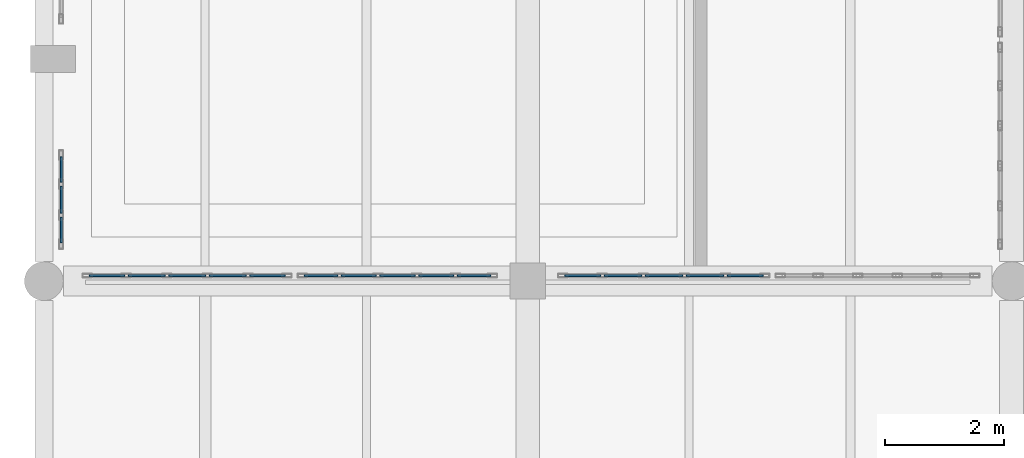
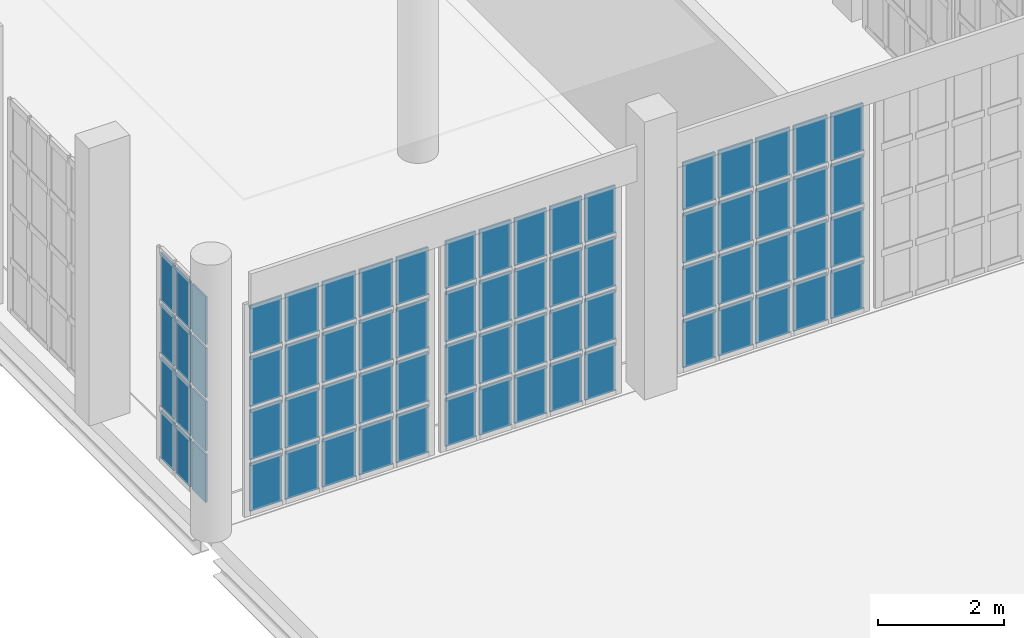
# One storey, part 320 of 372: 72 plates, 4 elements without a shape of their own.
"""IFC4 building model written with IfcOpenShell, lengths in metres."""

from ifc_helpers import new_model, si_unit, direction, frame, origin, origin_2d, place, context, subcontext, project, spatial, rectangle, extrude, material, layer, layer_set, type_object, element, aggregate, save


model = new_model("IFC4")

# Units and contexts
model_context = context("Model", 3, precision=1e-05, world=origin(), true_north=direction((0.0, 1.0)))
body_context = subcontext(model_context, "Body", "Model", "MODEL_VIEW")
ifc_project = project(units=[si_unit("LENGTHUNIT", "METRE"), si_unit("AREAUNIT", "SQUARE_METRE"), si_unit("VOLUMEUNIT", "CUBIC_METRE"), si_unit("PLANEANGLEUNIT", "RADIAN"), si_unit("MASSUNIT", "GRAM", prefix="KILO")], contexts=[model_context])

# Site, building, storey
site_placement = place(None, origin())
site = spatial("IfcSite", under=ifc_project, at=site_placement, CompositionType="ELEMENT")
building_placement = place(site_placement, origin())
building = spatial("IfcBuilding", under=site, at=building_placement, Name="Kaelora Sail Theatre", CompositionType="ELEMENT")
storey_placement = place(building_placement, origin())
storey = spatial("IfcBuildingStorey", under=building, at=storey_placement, Name="L00", CompositionType="ELEMENT", Elevation=0.0)

# Curtain wall, plates
ifc_material_1 = material(Name="Anodised aluminium and solar-control low-E IGU", Category="aluminium")
curtain_wall_type_1 = type_object("IfcCurtainWallType", Name="ARC-CW-CW-NWG", PredefinedType="NOTDEFINED", material=ifc_material_1)
curtain_wall_1_placement = place(storey_placement, origin())
curtain_wall_1 = element("IfcCurtainWall", 1, at=curtain_wall_1_placement, inside=storey, type_object=curtain_wall_type_1, Name="Glazed Foyer/Conservatory Curtain Wall COLW-S-L00-01", PredefinedType="NOTDEFINED")
ifc_material_2 = material(Name="Solar-control laminated low-E glass", Category="glass")
ifc_layer = layer(ifc_material_2, 0.031982421875)
ifc_layer_set = layer_set([ifc_layer], Name="Solar-control laminated low-E glass")
plate_type = type_object("IfcPlateType", Name="ARC-CW-PNL", PredefinedType="CURTAIN_PANEL", material=ifc_layer_set)
plate_1_placement = place(storey_placement, frame((2.554931640625, 31.35009765625, 0.070068359375), z_axis=(0.0, 0.0, 1.0), x_axis=(1.0, 0.0, 0.0)))
plate_1 = element("IfcPlate", 2, at=plate_1_placement, type_object=plate_type, Name="CW-NWG panel 1.1", PredefinedType="CURTAIN_PANEL", context=body_context, shape_type="SweptSolid", body=[
    extrude(rectangle(XDim=0.590087890625, YDim=0.031982421875, at=origin_2d()), origin(), (0.0, 0.0, 1.0), 0.92919921875),
])
plate_2_placement = place(storey_placement, frame((2.554931640625, 31.35009765625, 1.069091796875), z_axis=(0.0, 0.0, 1.0), x_axis=(1.0, 0.0, 0.0)))
plate_2 = element("IfcPlate", 3, at=plate_2_placement, type_object=plate_type, Name="CW-NWG panel 1.2", PredefinedType="CURTAIN_PANEL", context=body_context, shape_type="SweptSolid", body=[
    extrude(rectangle(XDim=0.590087890625, YDim=0.031982421875, at=origin_2d()), origin(), (0.0, 0.0, 1.0), 0.96435546875),
])
plate_3_placement = place(storey_placement, frame((2.554931640625, 31.35009765625, 2.103515625), z_axis=(0.0, 0.0, 1.0), x_axis=(1.0, 0.0, 0.0)))
plate_3 = element("IfcPlate", 4, at=plate_3_placement, type_object=plate_type, Name="CW-NWG panel 1.3", PredefinedType="CURTAIN_PANEL", context=body_context, shape_type="SweptSolid", body=[
    extrude(rectangle(XDim=0.590087890625, YDim=0.031982421875, at=origin_2d()), origin(), (0.0, 0.0, 1.0), 0.964111328125),
])
plate_4_placement = place(storey_placement, frame((2.554931640625, 31.35009765625, 3.1376953125), z_axis=(0.0, 0.0, 1.0), x_axis=(1.0, 0.0, 0.0)))
plate_4 = element("IfcPlate", 5, at=plate_4_placement, type_object=plate_type, Name="CW-NWG panel 1.4", PredefinedType="CURTAIN_PANEL", context=body_context, shape_type="SweptSolid", body=[
    extrude(rectangle(XDim=0.590087890625, YDim=0.031982421875, at=origin_2d()), origin(), (0.0, 0.0, 1.0), 0.92919921875),
])
plate_5_placement = place(storey_placement, frame((3.219970703125, 31.35009765625, 0.070068359375), z_axis=(0.0, 0.0, 1.0), x_axis=(1.0, 0.0, 0.0)))
plate_5 = element("IfcPlate", 6, at=plate_5_placement, type_object=plate_type, Name="CW-NWG panel 2.1", PredefinedType="CURTAIN_PANEL", context=body_context, shape_type="SweptSolid", body=[
    extrude(rectangle(XDim=0.6201171875, YDim=0.031982421875, at=origin_2d()), origin(), (0.0, 0.0, 1.0), 0.92919921875),
])
plate_6_placement = place(storey_placement, frame((3.219970703125, 31.35009765625, 1.069091796875), z_axis=(0.0, 0.0, 1.0), x_axis=(1.0, 0.0, 0.0)))
plate_6 = element("IfcPlate", 7, at=plate_6_placement, type_object=plate_type, Name="CW-NWG panel 2.2", PredefinedType="CURTAIN_PANEL", context=body_context, shape_type="SweptSolid", body=[
    extrude(rectangle(XDim=0.6201171875, YDim=0.031982421875, at=origin_2d()), origin(), (0.0, 0.0, 1.0), 0.96435546875),
])
plate_7_placement = place(storey_placement, frame((3.219970703125, 31.35009765625, 2.103515625), z_axis=(0.0, 0.0, 1.0), x_axis=(1.0, 0.0, 0.0)))
plate_7 = element("IfcPlate", 8, at=plate_7_placement, type_object=plate_type, Name="CW-NWG panel 2.3", PredefinedType="CURTAIN_PANEL", context=body_context, shape_type="SweptSolid", body=[
    extrude(rectangle(XDim=0.6201171875, YDim=0.031982421875, at=origin_2d()), origin(), (0.0, 0.0, 1.0), 0.964111328125),
])
plate_8_placement = place(storey_placement, frame((3.219970703125, 31.35009765625, 3.1376953125), z_axis=(0.0, 0.0, 1.0), x_axis=(1.0, 0.0, 0.0)))
plate_8 = element("IfcPlate", 9, at=plate_8_placement, type_object=plate_type, Name="CW-NWG panel 2.4", PredefinedType="CURTAIN_PANEL", context=body_context, shape_type="SweptSolid", body=[
    extrude(rectangle(XDim=0.6201171875, YDim=0.031982421875, at=origin_2d()), origin(), (0.0, 0.0, 1.0), 0.92919921875),
])
plate_9_placement = place(storey_placement, frame((3.89990234375, 31.35009765625, 0.070068359375), z_axis=(0.0, 0.0, 1.0), x_axis=(1.0, 0.0, 0.0)))
plate_9 = element("IfcPlate", 10, at=plate_9_placement, type_object=plate_type, Name="CW-NWG panel 3.1", PredefinedType="CURTAIN_PANEL", context=body_context, shape_type="SweptSolid", body=[
    extrude(rectangle(XDim=0.6201171875, YDim=0.031982421875, at=origin_2d()), origin(), (0.0, 0.0, 1.0), 0.92919921875),
])
plate_10_placement = place(storey_placement, frame((3.89990234375, 31.35009765625, 1.069091796875), z_axis=(0.0, 0.0, 1.0), x_axis=(1.0, 0.0, 0.0)))
plate_10 = element("IfcPlate", 11, at=plate_10_placement, type_object=plate_type, Name="CW-NWG panel 3.2", PredefinedType="CURTAIN_PANEL", context=body_context, shape_type="SweptSolid", body=[
    extrude(rectangle(XDim=0.6201171875, YDim=0.031982421875, at=origin_2d()), origin(), (0.0, 0.0, 1.0), 0.96435546875),
])
plate_11_placement = place(storey_placement, frame((3.89990234375, 31.35009765625, 2.103515625), z_axis=(0.0, 0.0, 1.0), x_axis=(1.0, 0.0, 0.0)))
plate_11 = element("IfcPlate", 12, at=plate_11_placement, type_object=plate_type, Name="CW-NWG panel 3.3", PredefinedType="CURTAIN_PANEL", context=body_context, shape_type="SweptSolid", body=[
    extrude(rectangle(XDim=0.6201171875, YDim=0.031982421875, at=origin_2d()), origin(), (0.0, 0.0, 1.0), 0.964111328125),
])
plate_12_placement = place(storey_placement, frame((3.89990234375, 31.35009765625, 3.1376953125), z_axis=(0.0, 0.0, 1.0), x_axis=(1.0, 0.0, 0.0)))
plate_12 = element("IfcPlate", 13, at=plate_12_placement, type_object=plate_type, Name="CW-NWG panel 3.4", PredefinedType="CURTAIN_PANEL", context=body_context, shape_type="SweptSolid", body=[
    extrude(rectangle(XDim=0.6201171875, YDim=0.031982421875, at=origin_2d()), origin(), (0.0, 0.0, 1.0), 0.92919921875),
])
plate_13_placement = place(storey_placement, frame((4.580078125, 31.35009765625, 0.070068359375), z_axis=(0.0, 0.0, 1.0), x_axis=(1.0, 0.0, 0.0)))
plate_13 = element("IfcPlate", 14, at=plate_13_placement, type_object=plate_type, Name="CW-NWG panel 4.1", PredefinedType="CURTAIN_PANEL", context=body_context, shape_type="SweptSolid", body=[
    extrude(rectangle(XDim=0.6201171875, YDim=0.031982421875, at=origin_2d()), origin(), (0.0, 0.0, 1.0), 0.92919921875),
])
plate_14_placement = place(storey_placement, frame((4.580078125, 31.35009765625, 1.069091796875), z_axis=(0.0, 0.0, 1.0), x_axis=(1.0, 0.0, 0.0)))
plate_14 = element("IfcPlate", 15, at=plate_14_placement, type_object=plate_type, Name="CW-NWG panel 4.2", PredefinedType="CURTAIN_PANEL", context=body_context, shape_type="SweptSolid", body=[
    extrude(rectangle(XDim=0.6201171875, YDim=0.031982421875, at=origin_2d()), origin(), (0.0, 0.0, 1.0), 0.96435546875),
])
plate_15_placement = place(storey_placement, frame((4.580078125, 31.35009765625, 2.103515625), z_axis=(0.0, 0.0, 1.0), x_axis=(1.0, 0.0, 0.0)))
plate_15 = element("IfcPlate", 16, at=plate_15_placement, type_object=plate_type, Name="CW-NWG panel 4.3", PredefinedType="CURTAIN_PANEL", context=body_context, shape_type="SweptSolid", body=[
    extrude(rectangle(XDim=0.6201171875, YDim=0.031982421875, at=origin_2d()), origin(), (0.0, 0.0, 1.0), 0.964111328125),
])
plate_16_placement = place(storey_placement, frame((4.580078125, 31.35009765625, 3.1376953125), z_axis=(0.0, 0.0, 1.0), x_axis=(1.0, 0.0, 0.0)))
plate_16 = element("IfcPlate", 17, at=plate_16_placement, type_object=plate_type, Name="CW-NWG panel 4.4", PredefinedType="CURTAIN_PANEL", context=body_context, shape_type="SweptSolid", body=[
    extrude(rectangle(XDim=0.6201171875, YDim=0.031982421875, at=origin_2d()), origin(), (0.0, 0.0, 1.0), 0.92919921875),
])
plate_17_placement = place(storey_placement, frame((5.2451171875, 31.35009765625, 0.070068359375), z_axis=(0.0, 0.0, 1.0), x_axis=(1.0, 0.0, 0.0)))
plate_17 = element("IfcPlate", 18, at=plate_17_placement, type_object=plate_type, Name="CW-NWG panel 5.1", PredefinedType="CURTAIN_PANEL", context=body_context, shape_type="SweptSolid", body=[
    extrude(rectangle(XDim=0.590087890625, YDim=0.031982421875, at=origin_2d()), origin(), (0.0, 0.0, 1.0), 0.92919921875),
])
plate_18_placement = place(storey_placement, frame((5.2451171875, 31.35009765625, 1.069091796875), z_axis=(0.0, 0.0, 1.0), x_axis=(1.0, 0.0, 0.0)))
plate_18 = element("IfcPlate", 19, at=plate_18_placement, type_object=plate_type, Name="CW-NWG panel 5.2", PredefinedType="CURTAIN_PANEL", context=body_context, shape_type="SweptSolid", body=[
    extrude(rectangle(XDim=0.590087890625, YDim=0.031982421875, at=origin_2d()), origin(), (0.0, 0.0, 1.0), 0.96435546875),
])
plate_19_placement = place(storey_placement, frame((5.2451171875, 31.35009765625, 2.103515625), z_axis=(0.0, 0.0, 1.0), x_axis=(1.0, 0.0, 0.0)))
plate_19 = element("IfcPlate", 20, at=plate_19_placement, type_object=plate_type, Name="CW-NWG panel 5.3", PredefinedType="CURTAIN_PANEL", context=body_context, shape_type="SweptSolid", body=[
    extrude(rectangle(XDim=0.590087890625, YDim=0.031982421875, at=origin_2d()), origin(), (0.0, 0.0, 1.0), 0.964111328125),
])
plate_20_placement = place(storey_placement, frame((5.2451171875, 31.35009765625, 3.1376953125), z_axis=(0.0, 0.0, 1.0), x_axis=(1.0, 0.0, 0.0)))
plate_20 = element("IfcPlate", 21, at=plate_20_placement, type_object=plate_type, Name="CW-NWG panel 5.4", PredefinedType="CURTAIN_PANEL", context=body_context, shape_type="SweptSolid", body=[
    extrude(rectangle(XDim=0.590087890625, YDim=0.031982421875, at=origin_2d()), origin(), (0.0, 0.0, 1.0), 0.92919921875),
])
aggregate(curtain_wall_1, [plate_1, plate_2, plate_3, plate_4, plate_5, plate_6, plate_7, plate_8, plate_9, plate_10, plate_11, plate_12, plate_13, plate_14, plate_15, plate_16, plate_17, plate_18, plate_19, plate_20])

curtain_wall_2_placement = place(storey_placement, origin())
curtain_wall_2 = element("IfcCurtainWall", 22, at=curtain_wall_2_placement, inside=storey, type_object=curtain_wall_type_1, Name="Glazed Foyer/Conservatory Curtain Wall COLW-S-L00-02", PredefinedType="NOTDEFINED")
plate_21_placement = place(storey_placement, frame((6.138916015625, 31.35009765625, 0.070068359375), z_axis=(0.0, 0.0, 1.0), x_axis=(1.0, 0.0, 0.0)))
plate_21 = element("IfcPlate", 23, at=plate_21_placement, type_object=plate_type, Name="CW-NWG panel 1.1", PredefinedType="CURTAIN_PANEL", context=body_context, shape_type="SweptSolid", body=[
    extrude(rectangle(XDim=0.55810546875, YDim=0.031982421875, at=origin_2d()), origin(), (0.0, 0.0, 1.0), 0.92919921875),
])
plate_22_placement = place(storey_placement, frame((6.138916015625, 31.35009765625, 1.069091796875), z_axis=(0.0, 0.0, 1.0), x_axis=(1.0, 0.0, 0.0)))
plate_22 = element("IfcPlate", 24, at=plate_22_placement, type_object=plate_type, Name="CW-NWG panel 1.2", PredefinedType="CURTAIN_PANEL", context=body_context, shape_type="SweptSolid", body=[
    extrude(rectangle(XDim=0.55810546875, YDim=0.031982421875, at=origin_2d()), origin(), (0.0, 0.0, 1.0), 0.96435546875),
])
plate_23_placement = place(storey_placement, frame((6.138916015625, 31.35009765625, 2.103515625), z_axis=(0.0, 0.0, 1.0), x_axis=(1.0, 0.0, 0.0)))
plate_23 = element("IfcPlate", 25, at=plate_23_placement, type_object=plate_type, Name="CW-NWG panel 1.3", PredefinedType="CURTAIN_PANEL", context=body_context, shape_type="SweptSolid", body=[
    extrude(rectangle(XDim=0.55810546875, YDim=0.031982421875, at=origin_2d()), origin(), (0.0, 0.0, 1.0), 0.964111328125),
])
plate_24_placement = place(storey_placement, frame((6.138916015625, 31.35009765625, 3.1376953125), z_axis=(0.0, 0.0, 1.0), x_axis=(1.0, 0.0, 0.0)))
plate_24 = element("IfcPlate", 26, at=plate_24_placement, type_object=plate_type, Name="CW-NWG panel 1.4", PredefinedType="CURTAIN_PANEL", context=body_context, shape_type="SweptSolid", body=[
    extrude(rectangle(XDim=0.55810546875, YDim=0.031982421875, at=origin_2d()), origin(), (0.0, 0.0, 1.0), 0.92919921875),
])
plate_25_placement = place(storey_placement, frame((6.77197265625, 31.35009765625, 0.070068359375), z_axis=(0.0, 0.0, 1.0), x_axis=(1.0, 0.0, 0.0)))
plate_25 = element("IfcPlate", 27, at=plate_25_placement, type_object=plate_type, Name="CW-NWG panel 2.1", PredefinedType="CURTAIN_PANEL", context=body_context, shape_type="SweptSolid", body=[
    extrude(rectangle(XDim=0.587890625, YDim=0.031982421875, at=origin_2d()), origin(), (0.0, 0.0, 1.0), 0.92919921875),
])
plate_26_placement = place(storey_placement, frame((6.77197265625, 31.35009765625, 1.069091796875), z_axis=(0.0, 0.0, 1.0), x_axis=(1.0, 0.0, 0.0)))
plate_26 = element("IfcPlate", 28, at=plate_26_placement, type_object=plate_type, Name="CW-NWG panel 2.2", PredefinedType="CURTAIN_PANEL", context=body_context, shape_type="SweptSolid", body=[
    extrude(rectangle(XDim=0.587890625, YDim=0.031982421875, at=origin_2d()), origin(), (0.0, 0.0, 1.0), 0.96435546875),
])
plate_27_placement = place(storey_placement, frame((6.77197265625, 31.35009765625, 2.103515625), z_axis=(0.0, 0.0, 1.0), x_axis=(1.0, 0.0, 0.0)))
plate_27 = element("IfcPlate", 29, at=plate_27_placement, type_object=plate_type, Name="CW-NWG panel 2.3", PredefinedType="CURTAIN_PANEL", context=body_context, shape_type="SweptSolid", body=[
    extrude(rectangle(XDim=0.587890625, YDim=0.031982421875, at=origin_2d()), origin(), (0.0, 0.0, 1.0), 0.964111328125),
])
plate_28_placement = place(storey_placement, frame((6.77197265625, 31.35009765625, 3.1376953125), z_axis=(0.0, 0.0, 1.0), x_axis=(1.0, 0.0, 0.0)))
plate_28 = element("IfcPlate", 30, at=plate_28_placement, type_object=plate_type, Name="CW-NWG panel 2.4", PredefinedType="CURTAIN_PANEL", context=body_context, shape_type="SweptSolid", body=[
    extrude(rectangle(XDim=0.587890625, YDim=0.031982421875, at=origin_2d()), origin(), (0.0, 0.0, 1.0), 0.92919921875),
])
plate_29_placement = place(storey_placement, frame((7.419921875, 31.35009765625, 0.070068359375), z_axis=(0.0, 0.0, 1.0), x_axis=(1.0, 0.0, 0.0)))
plate_29 = element("IfcPlate", 31, at=plate_29_placement, type_object=plate_type, Name="CW-NWG panel 3.1", PredefinedType="CURTAIN_PANEL", context=body_context, shape_type="SweptSolid", body=[
    extrude(rectangle(XDim=0.587890625, YDim=0.031982421875, at=origin_2d()), origin(), (0.0, 0.0, 1.0), 0.92919921875),
])
plate_30_placement = place(storey_placement, frame((7.419921875, 31.35009765625, 1.069091796875), z_axis=(0.0, 0.0, 1.0), x_axis=(1.0, 0.0, 0.0)))
plate_30 = element("IfcPlate", 32, at=plate_30_placement, type_object=plate_type, Name="CW-NWG panel 3.2", PredefinedType="CURTAIN_PANEL", context=body_context, shape_type="SweptSolid", body=[
    extrude(rectangle(XDim=0.587890625, YDim=0.031982421875, at=origin_2d()), origin(), (0.0, 0.0, 1.0), 0.96435546875),
])
plate_31_placement = place(storey_placement, frame((7.419921875, 31.35009765625, 2.103515625), z_axis=(0.0, 0.0, 1.0), x_axis=(1.0, 0.0, 0.0)))
plate_31 = element("IfcPlate", 33, at=plate_31_placement, type_object=plate_type, Name="CW-NWG panel 3.3", PredefinedType="CURTAIN_PANEL", context=body_context, shape_type="SweptSolid", body=[
    extrude(rectangle(XDim=0.587890625, YDim=0.031982421875, at=origin_2d()), origin(), (0.0, 0.0, 1.0), 0.964111328125),
])
plate_32_placement = place(storey_placement, frame((7.419921875, 31.35009765625, 3.1376953125), z_axis=(0.0, 0.0, 1.0), x_axis=(1.0, 0.0, 0.0)))
plate_32 = element("IfcPlate", 34, at=plate_32_placement, type_object=plate_type, Name="CW-NWG panel 3.4", PredefinedType="CURTAIN_PANEL", context=body_context, shape_type="SweptSolid", body=[
    extrude(rectangle(XDim=0.587890625, YDim=0.031982421875, at=origin_2d()), origin(), (0.0, 0.0, 1.0), 0.92919921875),
])
plate_33_placement = place(storey_placement, frame((8.068115234375, 31.35009765625, 0.070068359375), z_axis=(0.0, 0.0, 1.0), x_axis=(1.0, 0.0, 0.0)))
plate_33 = element("IfcPlate", 35, at=plate_33_placement, type_object=plate_type, Name="CW-NWG panel 4.1", PredefinedType="CURTAIN_PANEL", context=body_context, shape_type="SweptSolid", body=[
    extrude(rectangle(XDim=0.587890625, YDim=0.031982421875, at=origin_2d()), origin(), (0.0, 0.0, 1.0), 0.92919921875),
])
plate_34_placement = place(storey_placement, frame((8.068115234375, 31.35009765625, 1.069091796875), z_axis=(0.0, 0.0, 1.0), x_axis=(1.0, 0.0, 0.0)))
plate_34 = element("IfcPlate", 36, at=plate_34_placement, type_object=plate_type, Name="CW-NWG panel 4.2", PredefinedType="CURTAIN_PANEL", context=body_context, shape_type="SweptSolid", body=[
    extrude(rectangle(XDim=0.587890625, YDim=0.031982421875, at=origin_2d()), origin(), (0.0, 0.0, 1.0), 0.96435546875),
])
plate_35_placement = place(storey_placement, frame((8.068115234375, 31.35009765625, 2.103515625), z_axis=(0.0, 0.0, 1.0), x_axis=(1.0, 0.0, 0.0)))
plate_35 = element("IfcPlate", 37, at=plate_35_placement, type_object=plate_type, Name="CW-NWG panel 4.3", PredefinedType="CURTAIN_PANEL", context=body_context, shape_type="SweptSolid", body=[
    extrude(rectangle(XDim=0.587890625, YDim=0.031982421875, at=origin_2d()), origin(), (0.0, 0.0, 1.0), 0.964111328125),
])
plate_36_placement = place(storey_placement, frame((8.068115234375, 31.35009765625, 3.1376953125), z_axis=(0.0, 0.0, 1.0), x_axis=(1.0, 0.0, 0.0)))
plate_36 = element("IfcPlate", 38, at=plate_36_placement, type_object=plate_type, Name="CW-NWG panel 4.4", PredefinedType="CURTAIN_PANEL", context=body_context, shape_type="SweptSolid", body=[
    extrude(rectangle(XDim=0.587890625, YDim=0.031982421875, at=origin_2d()), origin(), (0.0, 0.0, 1.0), 0.92919921875),
])
plate_37_placement = place(storey_placement, frame((8.700927734375, 31.35009765625, 0.070068359375), z_axis=(0.0, 0.0, 1.0), x_axis=(1.0, 0.0, 0.0)))
plate_37 = element("IfcPlate", 39, at=plate_37_placement, type_object=plate_type, Name="CW-NWG panel 5.1", PredefinedType="CURTAIN_PANEL", context=body_context, shape_type="SweptSolid", body=[
    extrude(rectangle(XDim=0.55810546875, YDim=0.031982421875, at=origin_2d()), origin(), (0.0, 0.0, 1.0), 0.92919921875),
])
plate_38_placement = place(storey_placement, frame((8.700927734375, 31.35009765625, 1.069091796875), z_axis=(0.0, 0.0, 1.0), x_axis=(1.0, 0.0, 0.0)))
plate_38 = element("IfcPlate", 40, at=plate_38_placement, type_object=plate_type, Name="CW-NWG panel 5.2", PredefinedType="CURTAIN_PANEL", context=body_context, shape_type="SweptSolid", body=[
    extrude(rectangle(XDim=0.55810546875, YDim=0.031982421875, at=origin_2d()), origin(), (0.0, 0.0, 1.0), 0.96435546875),
])
plate_39_placement = place(storey_placement, frame((8.700927734375, 31.35009765625, 2.103515625), z_axis=(0.0, 0.0, 1.0), x_axis=(1.0, 0.0, 0.0)))
plate_39 = element("IfcPlate", 41, at=plate_39_placement, type_object=plate_type, Name="CW-NWG panel 5.3", PredefinedType="CURTAIN_PANEL", context=body_context, shape_type="SweptSolid", body=[
    extrude(rectangle(XDim=0.55810546875, YDim=0.031982421875, at=origin_2d()), origin(), (0.0, 0.0, 1.0), 0.964111328125),
])
plate_40_placement = place(storey_placement, frame((8.700927734375, 31.35009765625, 3.1376953125), z_axis=(0.0, 0.0, 1.0), x_axis=(1.0, 0.0, 0.0)))
plate_40 = element("IfcPlate", 42, at=plate_40_placement, type_object=plate_type, Name="CW-NWG panel 5.4", PredefinedType="CURTAIN_PANEL", context=body_context, shape_type="SweptSolid", body=[
    extrude(rectangle(XDim=0.55810546875, YDim=0.031982421875, at=origin_2d()), origin(), (0.0, 0.0, 1.0), 0.92919921875),
])
aggregate(curtain_wall_2, [plate_21, plate_22, plate_23, plate_24, plate_25, plate_26, plate_27, plate_28, plate_29, plate_30, plate_31, plate_32, plate_33, plate_34, plate_35, plate_36, plate_37, plate_38, plate_39, plate_40])

curtain_wall_3_placement = place(storey_placement, origin())
curtain_wall_3 = element("IfcCurtainWall", 43, at=curtain_wall_3_placement, inside=storey, type_object=curtain_wall_type_1, Name="Glazed Foyer/Conservatory Curtain Wall COLW-S-L00-03", PredefinedType="NOTDEFINED")
plate_41_placement = place(storey_placement, frame((10.51904296875, 31.35009765625, 0.070068359375), z_axis=(0.0, 0.0, 1.0), x_axis=(1.0, 0.0, 0.0)))
plate_41 = element("IfcPlate", 44, at=plate_41_placement, type_object=plate_type, Name="CW-NWG panel 1.1", PredefinedType="CURTAIN_PANEL", context=body_context, shape_type="SweptSolid", body=[
    extrude(rectangle(XDim=0.597900390625, YDim=0.031982421875, at=origin_2d()), origin(), (0.0, 0.0, 1.0), 0.92919921875),
])
plate_42_placement = place(storey_placement, frame((10.51904296875, 31.35009765625, 1.069091796875), z_axis=(0.0, 0.0, 1.0), x_axis=(1.0, 0.0, 0.0)))
plate_42 = element("IfcPlate", 45, at=plate_42_placement, type_object=plate_type, Name="CW-NWG panel 1.2", PredefinedType="CURTAIN_PANEL", context=body_context, shape_type="SweptSolid", body=[
    extrude(rectangle(XDim=0.597900390625, YDim=0.031982421875, at=origin_2d()), origin(), (0.0, 0.0, 1.0), 0.96435546875),
])
plate_43_placement = place(storey_placement, frame((10.51904296875, 31.35009765625, 2.103515625), z_axis=(0.0, 0.0, 1.0), x_axis=(1.0, 0.0, 0.0)))
plate_43 = element("IfcPlate", 46, at=plate_43_placement, type_object=plate_type, Name="CW-NWG panel 1.3", PredefinedType="CURTAIN_PANEL", context=body_context, shape_type="SweptSolid", body=[
    extrude(rectangle(XDim=0.597900390625, YDim=0.031982421875, at=origin_2d()), origin(), (0.0, 0.0, 1.0), 0.964111328125),
])
plate_44_placement = place(storey_placement, frame((10.51904296875, 31.35009765625, 3.1376953125), z_axis=(0.0, 0.0, 1.0), x_axis=(1.0, 0.0, 0.0)))
plate_44 = element("IfcPlate", 47, at=plate_44_placement, type_object=plate_type, Name="CW-NWG panel 1.4", PredefinedType="CURTAIN_PANEL", context=body_context, shape_type="SweptSolid", body=[
    extrude(rectangle(XDim=0.597900390625, YDim=0.031982421875, at=origin_2d()), origin(), (0.0, 0.0, 1.0), 0.92919921875),
])
plate_45_placement = place(storey_placement, frame((11.19189453125, 31.35009765625, 0.070068359375), z_axis=(0.0, 0.0, 1.0), x_axis=(1.0, 0.0, 0.0)))
plate_45 = element("IfcPlate", 48, at=plate_45_placement, type_object=plate_type, Name="CW-NWG panel 2.1", PredefinedType="CURTAIN_PANEL", context=body_context, shape_type="SweptSolid", body=[
    extrude(rectangle(XDim=0.6279296875, YDim=0.031982421875, at=origin_2d()), origin(), (0.0, 0.0, 1.0), 0.92919921875),
])
plate_46_placement = place(storey_placement, frame((11.19189453125, 31.35009765625, 1.069091796875), z_axis=(0.0, 0.0, 1.0), x_axis=(1.0, 0.0, 0.0)))
plate_46 = element("IfcPlate", 49, at=plate_46_placement, type_object=plate_type, Name="CW-NWG panel 2.2", PredefinedType="CURTAIN_PANEL", context=body_context, shape_type="SweptSolid", body=[
    extrude(rectangle(XDim=0.6279296875, YDim=0.031982421875, at=origin_2d()), origin(), (0.0, 0.0, 1.0), 0.96435546875),
])
plate_47_placement = place(storey_placement, frame((11.19189453125, 31.35009765625, 2.103515625), z_axis=(0.0, 0.0, 1.0), x_axis=(1.0, 0.0, 0.0)))
plate_47 = element("IfcPlate", 50, at=plate_47_placement, type_object=plate_type, Name="CW-NWG panel 2.3", PredefinedType="CURTAIN_PANEL", context=body_context, shape_type="SweptSolid", body=[
    extrude(rectangle(XDim=0.6279296875, YDim=0.031982421875, at=origin_2d()), origin(), (0.0, 0.0, 1.0), 0.964111328125),
])
plate_48_placement = place(storey_placement, frame((11.19189453125, 31.35009765625, 3.1376953125), z_axis=(0.0, 0.0, 1.0), x_axis=(1.0, 0.0, 0.0)))
plate_48 = element("IfcPlate", 51, at=plate_48_placement, type_object=plate_type, Name="CW-NWG panel 2.4", PredefinedType="CURTAIN_PANEL", context=body_context, shape_type="SweptSolid", body=[
    extrude(rectangle(XDim=0.6279296875, YDim=0.031982421875, at=origin_2d()), origin(), (0.0, 0.0, 1.0), 0.92919921875),
])
plate_49_placement = place(storey_placement, frame((11.8798828125, 31.35009765625, 0.070068359375), z_axis=(0.0, 0.0, 1.0), x_axis=(1.0, 0.0, 0.0)))
plate_49 = element("IfcPlate", 52, at=plate_49_placement, type_object=plate_type, Name="CW-NWG panel 3.1", PredefinedType="CURTAIN_PANEL", context=body_context, shape_type="SweptSolid", body=[
    extrude(rectangle(XDim=0.6279296875, YDim=0.031982421875, at=origin_2d()), origin(), (0.0, 0.0, 1.0), 0.92919921875),
])
plate_50_placement = place(storey_placement, frame((11.8798828125, 31.35009765625, 1.069091796875), z_axis=(0.0, 0.0, 1.0), x_axis=(1.0, 0.0, 0.0)))
plate_50 = element("IfcPlate", 53, at=plate_50_placement, type_object=plate_type, Name="CW-NWG panel 3.2", PredefinedType="CURTAIN_PANEL", context=body_context, shape_type="SweptSolid", body=[
    extrude(rectangle(XDim=0.6279296875, YDim=0.031982421875, at=origin_2d()), origin(), (0.0, 0.0, 1.0), 0.96435546875),
])
plate_51_placement = place(storey_placement, frame((11.8798828125, 31.35009765625, 2.103515625), z_axis=(0.0, 0.0, 1.0), x_axis=(1.0, 0.0, 0.0)))
plate_51 = element("IfcPlate", 54, at=plate_51_placement, type_object=plate_type, Name="CW-NWG panel 3.3", PredefinedType="CURTAIN_PANEL", context=body_context, shape_type="SweptSolid", body=[
    extrude(rectangle(XDim=0.6279296875, YDim=0.031982421875, at=origin_2d()), origin(), (0.0, 0.0, 1.0), 0.964111328125),
])
plate_52_placement = place(storey_placement, frame((11.8798828125, 31.35009765625, 3.1376953125), z_axis=(0.0, 0.0, 1.0), x_axis=(1.0, 0.0, 0.0)))
plate_52 = element("IfcPlate", 55, at=plate_52_placement, type_object=plate_type, Name="CW-NWG panel 3.4", PredefinedType="CURTAIN_PANEL", context=body_context, shape_type="SweptSolid", body=[
    extrude(rectangle(XDim=0.6279296875, YDim=0.031982421875, at=origin_2d()), origin(), (0.0, 0.0, 1.0), 0.92919921875),
])
plate_53_placement = place(storey_placement, frame((12.568115234375, 31.35009765625, 0.070068359375), z_axis=(0.0, 0.0, 1.0), x_axis=(1.0, 0.0, 0.0)))
plate_53 = element("IfcPlate", 56, at=plate_53_placement, type_object=plate_type, Name="CW-NWG panel 4.1", PredefinedType="CURTAIN_PANEL", context=body_context, shape_type="SweptSolid", body=[
    extrude(rectangle(XDim=0.6279296875, YDim=0.031982421875, at=origin_2d()), origin(), (0.0, 0.0, 1.0), 0.92919921875),
])
plate_54_placement = place(storey_placement, frame((12.568115234375, 31.35009765625, 1.069091796875), z_axis=(0.0, 0.0, 1.0), x_axis=(1.0, 0.0, 0.0)))
plate_54 = element("IfcPlate", 57, at=plate_54_placement, type_object=plate_type, Name="CW-NWG panel 4.2", PredefinedType="CURTAIN_PANEL", context=body_context, shape_type="SweptSolid", body=[
    extrude(rectangle(XDim=0.6279296875, YDim=0.031982421875, at=origin_2d()), origin(), (0.0, 0.0, 1.0), 0.96435546875),
])
plate_55_placement = place(storey_placement, frame((12.568115234375, 31.35009765625, 2.103515625), z_axis=(0.0, 0.0, 1.0), x_axis=(1.0, 0.0, 0.0)))
plate_55 = element("IfcPlate", 58, at=plate_55_placement, type_object=plate_type, Name="CW-NWG panel 4.3", PredefinedType="CURTAIN_PANEL", context=body_context, shape_type="SweptSolid", body=[
    extrude(rectangle(XDim=0.6279296875, YDim=0.031982421875, at=origin_2d()), origin(), (0.0, 0.0, 1.0), 0.964111328125),
])
plate_56_placement = place(storey_placement, frame((12.568115234375, 31.35009765625, 3.1376953125), z_axis=(0.0, 0.0, 1.0), x_axis=(1.0, 0.0, 0.0)))
plate_56 = element("IfcPlate", 59, at=plate_56_placement, type_object=plate_type, Name="CW-NWG panel 4.4", PredefinedType="CURTAIN_PANEL", context=body_context, shape_type="SweptSolid", body=[
    extrude(rectangle(XDim=0.6279296875, YDim=0.031982421875, at=origin_2d()), origin(), (0.0, 0.0, 1.0), 0.92919921875),
])
plate_57_placement = place(storey_placement, frame((13.240966796875, 31.35009765625, 0.070068359375), z_axis=(0.0, 0.0, 1.0), x_axis=(1.0, 0.0, 0.0)))
plate_57 = element("IfcPlate", 60, at=plate_57_placement, type_object=plate_type, Name="CW-NWG panel 5.1", PredefinedType="CURTAIN_PANEL", context=body_context, shape_type="SweptSolid", body=[
    extrude(rectangle(XDim=0.597900390625, YDim=0.031982421875, at=origin_2d()), origin(), (0.0, 0.0, 1.0), 0.92919921875),
])
plate_58_placement = place(storey_placement, frame((13.240966796875, 31.35009765625, 1.069091796875), z_axis=(0.0, 0.0, 1.0), x_axis=(1.0, 0.0, 0.0)))
plate_58 = element("IfcPlate", 61, at=plate_58_placement, type_object=plate_type, Name="CW-NWG panel 5.2", PredefinedType="CURTAIN_PANEL", context=body_context, shape_type="SweptSolid", body=[
    extrude(rectangle(XDim=0.597900390625, YDim=0.031982421875, at=origin_2d()), origin(), (0.0, 0.0, 1.0), 0.96435546875),
])
plate_59_placement = place(storey_placement, frame((13.240966796875, 31.35009765625, 2.103515625), z_axis=(0.0, 0.0, 1.0), x_axis=(1.0, 0.0, 0.0)))
plate_59 = element("IfcPlate", 62, at=plate_59_placement, type_object=plate_type, Name="CW-NWG panel 5.3", PredefinedType="CURTAIN_PANEL", context=body_context, shape_type="SweptSolid", body=[
    extrude(rectangle(XDim=0.597900390625, YDim=0.031982421875, at=origin_2d()), origin(), (0.0, 0.0, 1.0), 0.964111328125),
])
plate_60_placement = place(storey_placement, frame((13.240966796875, 31.35009765625, 3.1376953125), z_axis=(0.0, 0.0, 1.0), x_axis=(1.0, 0.0, 0.0)))
plate_60 = element("IfcPlate", 63, at=plate_60_placement, type_object=plate_type, Name="CW-NWG panel 5.4", PredefinedType="CURTAIN_PANEL", context=body_context, shape_type="SweptSolid", body=[
    extrude(rectangle(XDim=0.597900390625, YDim=0.031982421875, at=origin_2d()), origin(), (0.0, 0.0, 1.0), 0.92919921875),
])
aggregate(curtain_wall_3, [plate_41, plate_42, plate_43, plate_44, plate_45, plate_46, plate_47, plate_48, plate_49, plate_50, plate_51, plate_52, plate_53, plate_54, plate_55, plate_56, plate_57, plate_58, plate_59, plate_60])

ifc_material_3 = material(Name="Anodised aluminium and solar-control low-E IGU", Category="aluminium")
curtain_wall_type_2 = type_object("IfcCurtainWallType", Name="ARC-CW-CW-FOY1", PredefinedType="NOTDEFINED", material=ifc_material_3)
curtain_wall_4_placement = place(storey_placement, origin())
curtain_wall_4 = element("IfcCurtainWall", 64, at=curtain_wall_4_placement, inside=storey, type_object=curtain_wall_type_2, Name="Glazed Colonnade/Courtyard Curtain Wall COLW-W-L00-01", PredefinedType="NOTDEFINED")
plate_61_placement = place(storey_placement, frame((1.7900390625, 32.119140625, 0.070068359375), z_axis=(0.0, 0.0, 1.0), x_axis=(0.0, 1.0, 0.0)))
plate_61 = element("IfcPlate", 65, at=plate_61_placement, type_object=plate_type, Name="CW-FOY1 panel 1.1", PredefinedType="CURTAIN_PANEL", context=body_context, shape_type="SweptSolid", body=[
    extrude(rectangle(XDim=0.42822265625, YDim=0.031982421875, at=origin_2d()), origin(), (0.0, 0.0, 1.0), 0.92919921875),
])
plate_62_placement = place(storey_placement, frame((1.7900390625, 32.119140625, 1.069091796875), z_axis=(0.0, 0.0, 1.0), x_axis=(0.0, 1.0, 0.0)))
plate_62 = element("IfcPlate", 66, at=plate_62_placement, type_object=plate_type, Name="CW-FOY1 panel 1.2", PredefinedType="CURTAIN_PANEL", context=body_context, shape_type="SweptSolid", body=[
    extrude(rectangle(XDim=0.42822265625, YDim=0.031982421875, at=origin_2d()), origin(), (0.0, 0.0, 1.0), 0.96435546875),
])
plate_63_placement = place(storey_placement, frame((1.7900390625, 32.119140625, 2.103515625), z_axis=(0.0, 0.0, 1.0), x_axis=(0.0, 1.0, 0.0)))
plate_63 = element("IfcPlate", 67, at=plate_63_placement, type_object=plate_type, Name="CW-FOY1 panel 1.3", PredefinedType="CURTAIN_PANEL", context=body_context, shape_type="SweptSolid", body=[
    extrude(rectangle(XDim=0.42822265625, YDim=0.031982421875, at=origin_2d()), origin(), (0.0, 0.0, 1.0), 0.964111328125),
])
plate_64_placement = place(storey_placement, frame((1.7900390625, 32.119140625, 3.1376953125), z_axis=(0.0, 0.0, 1.0), x_axis=(0.0, 1.0, 0.0)))
plate_64 = element("IfcPlate", 68, at=plate_64_placement, type_object=plate_type, Name="CW-FOY1 panel 1.4", PredefinedType="CURTAIN_PANEL", context=body_context, shape_type="SweptSolid", body=[
    extrude(rectangle(XDim=0.42822265625, YDim=0.031982421875, at=origin_2d()), origin(), (0.0, 0.0, 1.0), 0.92919921875),
])
plate_65_placement = place(storey_placement, frame((1.7900390625, 32.62255859375, 0.070068359375), z_axis=(0.0, 0.0, 1.0), x_axis=(0.0, 1.0, 0.0)))
plate_65 = element("IfcPlate", 69, at=plate_65_placement, type_object=plate_type, Name="CW-FOY1 panel 2.1", PredefinedType="CURTAIN_PANEL", context=body_context, shape_type="SweptSolid", body=[
    extrude(rectangle(XDim=0.458251953125, YDim=0.031982421875, at=origin_2d()), origin(), (0.0, 0.0, 1.0), 0.92919921875),
])
plate_66_placement = place(storey_placement, frame((1.7900390625, 32.62255859375, 1.069091796875), z_axis=(0.0, 0.0, 1.0), x_axis=(0.0, 1.0, 0.0)))
plate_66 = element("IfcPlate", 70, at=plate_66_placement, type_object=plate_type, Name="CW-FOY1 panel 2.2", PredefinedType="CURTAIN_PANEL", context=body_context, shape_type="SweptSolid", body=[
    extrude(rectangle(XDim=0.458251953125, YDim=0.031982421875, at=origin_2d()), origin(), (0.0, 0.0, 1.0), 0.96435546875),
])
plate_67_placement = place(storey_placement, frame((1.7900390625, 32.62255859375, 2.103515625), z_axis=(0.0, 0.0, 1.0), x_axis=(0.0, 1.0, 0.0)))
plate_67 = element("IfcPlate", 71, at=plate_67_placement, type_object=plate_type, Name="CW-FOY1 panel 2.3", PredefinedType="CURTAIN_PANEL", context=body_context, shape_type="SweptSolid", body=[
    extrude(rectangle(XDim=0.458251953125, YDim=0.031982421875, at=origin_2d()), origin(), (0.0, 0.0, 1.0), 0.964111328125),
])
plate_68_placement = place(storey_placement, frame((1.7900390625, 32.62255859375, 3.1376953125), z_axis=(0.0, 0.0, 1.0), x_axis=(0.0, 1.0, 0.0)))
plate_68 = element("IfcPlate", 72, at=plate_68_placement, type_object=plate_type, Name="CW-FOY1 panel 2.4", PredefinedType="CURTAIN_PANEL", context=body_context, shape_type="SweptSolid", body=[
    extrude(rectangle(XDim=0.458251953125, YDim=0.031982421875, at=origin_2d()), origin(), (0.0, 0.0, 1.0), 0.92919921875),
])
plate_69_placement = place(storey_placement, frame((1.7900390625, 33.125732421875, 0.070068359375), z_axis=(0.0, 0.0, 1.0), x_axis=(0.0, 1.0, 0.0)))
plate_69 = element("IfcPlate", 73, at=plate_69_placement, type_object=plate_type, Name="CW-FOY1 panel 3.1", PredefinedType="CURTAIN_PANEL", context=body_context, shape_type="SweptSolid", body=[
    extrude(rectangle(XDim=0.42822265625, YDim=0.031982421875, at=origin_2d()), origin(), (0.0, 0.0, 1.0), 0.92919921875),
])
plate_70_placement = place(storey_placement, frame((1.7900390625, 33.125732421875, 1.069091796875), z_axis=(0.0, 0.0, 1.0), x_axis=(0.0, 1.0, 0.0)))
plate_70 = element("IfcPlate", 74, at=plate_70_placement, type_object=plate_type, Name="CW-FOY1 panel 3.2", PredefinedType="CURTAIN_PANEL", context=body_context, shape_type="SweptSolid", body=[
    extrude(rectangle(XDim=0.42822265625, YDim=0.031982421875, at=origin_2d()), origin(), (0.0, 0.0, 1.0), 0.96435546875),
])
plate_71_placement = place(storey_placement, frame((1.7900390625, 33.125732421875, 2.103515625), z_axis=(0.0, 0.0, 1.0), x_axis=(0.0, 1.0, 0.0)))
plate_71 = element("IfcPlate", 75, at=plate_71_placement, type_object=plate_type, Name="CW-FOY1 panel 3.3", PredefinedType="CURTAIN_PANEL", context=body_context, shape_type="SweptSolid", body=[
    extrude(rectangle(XDim=0.42822265625, YDim=0.031982421875, at=origin_2d()), origin(), (0.0, 0.0, 1.0), 0.964111328125),
])
plate_72_placement = place(storey_placement, frame((1.7900390625, 33.125732421875, 3.1376953125), z_axis=(0.0, 0.0, 1.0), x_axis=(0.0, 1.0, 0.0)))
plate_72 = element("IfcPlate", 76, at=plate_72_placement, type_object=plate_type, Name="CW-FOY1 panel 3.4", PredefinedType="CURTAIN_PANEL", context=body_context, shape_type="SweptSolid", body=[
    extrude(rectangle(XDim=0.42822265625, YDim=0.031982421875, at=origin_2d()), origin(), (0.0, 0.0, 1.0), 0.92919921875),
])
aggregate(curtain_wall_4, [plate_61, plate_62, plate_63, plate_64, plate_65, plate_66, plate_67, plate_68, plate_69, plate_70, plate_71, plate_72])

save(model, "model.ifc")
